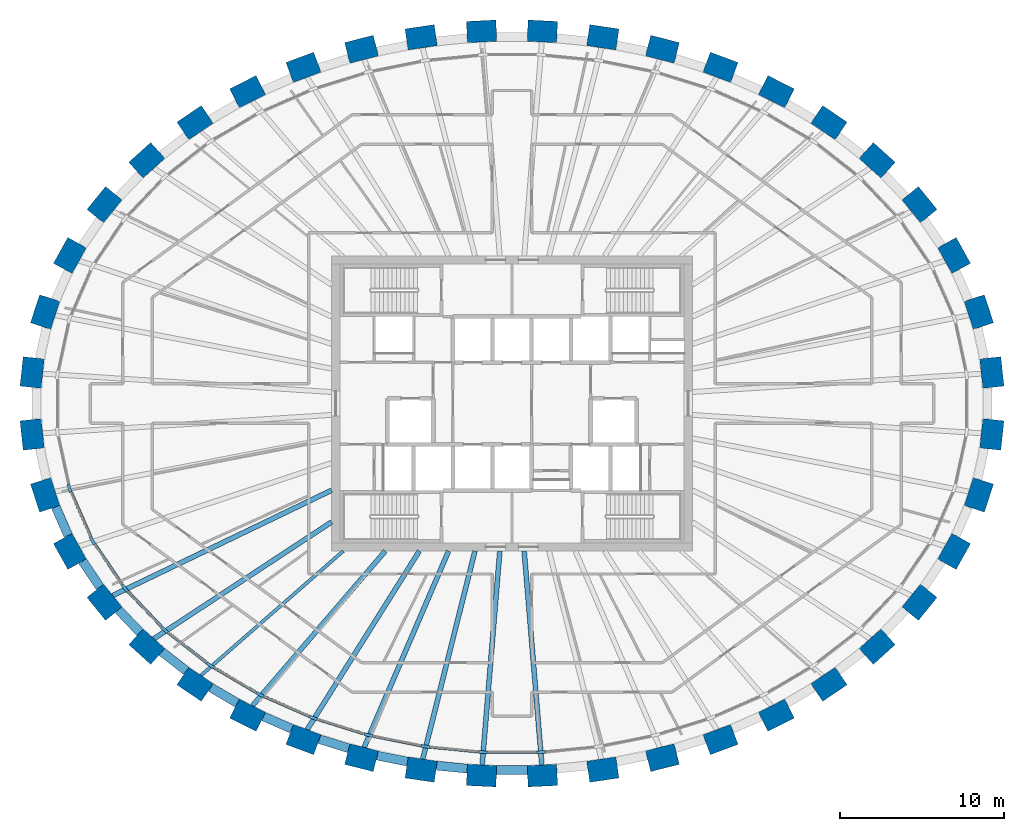
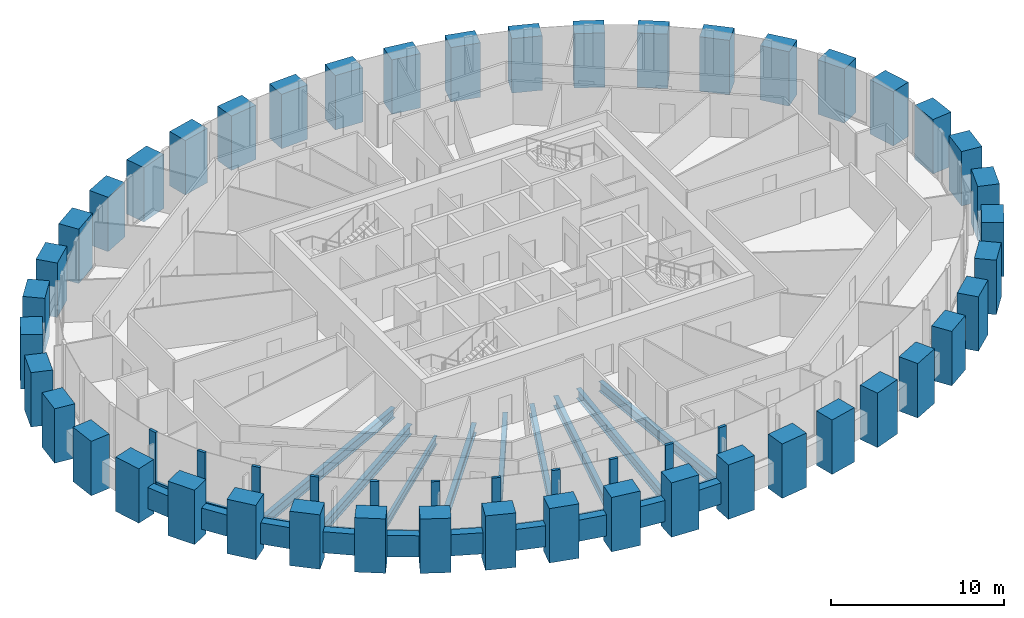
# One storey, part 1 of 11: 44 columns, 21 members, 19 beams, 1 element without a shape of its own.
"""IFC4 building model written with IfcOpenShell, lengths in metres."""

from ifc_helpers import new_model, si_unit, direction, frame, origin, origin_2d, place, context, subcontext, project, spatial, rectangle, i_section, extrude, source, transform, mapped, material, material_profile, profile_set, type_object, element, aggregate, save


model = new_model("IFC4")

# Units and contexts
model_context = context("Model", 3, precision=1e-05, world=origin(), true_north=direction((0.0, 1.0)))
body_context = subcontext(model_context, "Body", "Model", "MODEL_VIEW")
ifc_project = project(units=[si_unit("LENGTHUNIT", "METRE"), si_unit("AREAUNIT", "SQUARE_METRE"), si_unit("VOLUMEUNIT", "CUBIC_METRE"), si_unit("PLANEANGLEUNIT", "RADIAN"), si_unit("MASSUNIT", "GRAM", prefix="KILO")], contexts=[model_context])

# Site, building, storey
site_placement = place(None, origin())
site = spatial("IfcSite", under=ifc_project, at=site_placement, CompositionType="ELEMENT")
building_placement = place(site_placement, origin())
building = spatial("IfcBuilding", under=site, at=building_placement, Name="Embergate Tower", CompositionType="ELEMENT")
storey_placement = place(building_placement, frame((0.0, 0.0, 328.60009765625)))
storey = spatial("IfcBuildingStorey", under=building, at=storey_placement, Name="L77", CompositionType="ELEMENT", Elevation=328.60009765625)

# Columns
ifc_material_1 = material(Name="Concrete C50", Category="concrete")
ifc_material_profile_1 = material_profile(ifc_material_1, rectangle(XDim=1.300048828125, YDim=1.800048828125, at=origin_2d()), Name="RC 1300x1800")
ifc_profile_set_1 = profile_set([ifc_material_profile_1], Name="Concrete C50")
column_type = type_object("IfcColumnType", Name="Ring column RC 1300x1800 C50", PredefinedType="COLUMN", material=ifc_profile_set_1)
shared_shape_1 = source(origin(), body_context, "Body", "SweptSolid", [
    extrude(rectangle(XDim=1.300048828125, YDim=1.800048828125, at=origin_2d()), origin(), (0.0, 0.0, 1.0), 3.85009765625),
])
for number, where, z_axis, x_axis, name in (
    (1, (29.262939453125, 1.886962890625, -1.400146484375), (0.0, 0.0, 1.0), (0.99428589498, 0.106749983816, 0.0), "COL-L77-00"),
    (2, (28.469970703125, 5.573974609375, -1.400146484375), (0.0, 0.0, 1.0), (0.950754033697, 0.309946394413, 0.0), "COL-L77-01"),
    (3, (26.958984375, 9.02001953125, -1.400146484375), (0.0, 0.0, 1.0), (0.873500465855, 0.486823311018, 0.0), "COL-L77-02"),
    (4, (24.84912109375, 12.1220703125, -1.400146484375), (0.0, 0.0, 1.0), (0.775925311702, 0.630824786022, 0.0), "COL-L77-03"),
    (5, (22.26904296875, 14.827880859375, -1.400146484375), (0.0, 0.0, 1.0), (0.669221393633, 0.743063070206, 0.0), "COL-L77-04"),
    (6, (19.3291015625, 17.123046875, -1.400146484375), (0.0, 0.0, 1.0), (0.560393279442, 0.828226643109, 0.0), "COL-L77-05"),
    (7, (16.12109375, 19.010009765625, -1.400146484375), (0.0, 0.0, 1.0), (0.453010512651, 0.891505174089, 0.0), "COL-L77-06"),
    (8, (12.717041015625, 20.498046875, -1.400146484375), (0.0, 0.0, 1.0), (0.348343015724, 0.93736713373, 0.0), "COL-L77-07"),
    (9, (9.175048828125, 21.60107421875, -1.400146484375), (0.0, 0.0, 1.0), (0.24650851817, 0.969140624713, 0.0), "COL-L77-08"),
    (10, (5.5400390625, 22.330078125, -1.400146484375), (0.0, 0.0, 1.0), (0.146929011949, 0.989147039346, 0.0), "COL-L77-09"),
    (11, (1.85205078125, 22.693115234375, -1.400146484375), (0.0, 0.0, 1.0), (0.048814904854, 0.998807841912, 0.0), "COL-L77-10"),
    (12, (-1.85205078125, 22.693115234375, -1.400146484375), (0.0, 0.0, 1.0), (-0.048814904854, 0.998807841912, 0.0), "COL-L77-11"),
    (13, (-5.5400390625, 22.330078125, -1.400146484375), (0.0, 0.0, 1.0), (-0.146929011949, 0.989147039346, 0.0), "COL-L77-12"),
    (14, (-9.175048828125, 21.60107421875, -1.400146484375), (0.0, 0.0, 1.0), (-0.24650851817, 0.969140624713, 0.0), "COL-L77-13"),
    (15, (-12.717041015625, 20.498046875, -1.400146484375), (0.0, 0.0, 1.0), (-0.348343015724, 0.93736713373, 0.0), "COL-L77-14"),
    (16, (-16.12109375, 19.010009765625, -1.400146484375), (0.0, 0.0, 1.0), (-0.453010512651, 0.891505174089, 0.0), "COL-L77-15"),
    (17, (-19.3291015625, 17.123046875, -1.400146484375), (0.0, 0.0, 1.0), (-0.560393279442, 0.828226643109, 0.0), "COL-L77-16"),
    (18, (-22.26904296875, 14.827880859375, -1.400146484375), (0.0, 0.0, 1.0), (-0.669221393633, 0.743063070206, 0.0), "COL-L77-17"),
    (19, (-24.84912109375, 12.1220703125, -1.400146484375), (0.0, 0.0, 1.0), (-0.775925311702, 0.630824786022, 0.0), "COL-L77-18"),
    (20, (-26.958984375, 9.02001953125, -1.400146484375), (0.0, 0.0, 1.0), (-0.873500465855, 0.486823311018, 0.0), "COL-L77-19"),
    (21, (-28.469970703125, 5.573974609375, -1.400146484375), (0.0, 0.0, 1.0), (-0.950754033697, 0.309946394413, 0.0), "COL-L77-20"),
    (22, (-29.262939453125, 1.886962890625, -1.400146484375), (0.0, 0.0, 1.0), (-0.99428589498, 0.106749983816, 0.0), "COL-L77-21"),
    (23, (-29.262939453125, -1.886962890625, -1.400146484375), (0.0, 0.0, 1.0), (-0.99428589498, -0.106749983816, 0.0), "COL-L77-22"),
    (24, (-28.469970703125, -5.573974609375, -1.400146484375), (0.0, 0.0, 1.0), (-0.950754033697, -0.309946394413, 0.0), "COL-L77-23"),
    (25, (-26.958984375, -9.02001953125, -1.400146484375), (0.0, 0.0, 1.0), (-0.873500465855, -0.486823311018, 0.0), "COL-L77-24"),
    (26, (-24.84912109375, -12.1220703125, -1.400146484375), (0.0, 0.0, 1.0), (-0.775925311702, -0.630824786022, 0.0), "COL-L77-25"),
    (27, (-22.26904296875, -14.827880859375, -1.400146484375), (0.0, 0.0, 1.0), (-0.669221393633, -0.743063070206, 0.0), "COL-L77-26"),
    (28, (-19.3291015625, -17.123046875, -1.400146484375), (0.0, 0.0, 1.0), (-0.560393279442, -0.828226643109, 0.0), "COL-L77-27"),
    (29, (-16.12109375, -19.010009765625, -1.400146484375), (0.0, 0.0, 1.0), (-0.453010512651, -0.891505174089, 0.0), "COL-L77-28"),
    (30, (-12.717041015625, -20.498046875, -1.400146484375), (0.0, 0.0, 1.0), (-0.348343015724, -0.93736713373, 0.0), "COL-L77-29"),
    (31, (-9.175048828125, -21.60107421875, -1.400146484375), (0.0, 0.0, 1.0), (-0.24650851817, -0.969140624713, 0.0), "COL-L77-30"),
    (32, (-5.5400390625, -22.330078125, -1.400146484375), (0.0, 0.0, 1.0), (-0.146929011949, -0.989147039346, 0.0), "COL-L77-31"),
    (33, (-1.85205078125, -22.693115234375, -1.400146484375), (0.0, 0.0, 1.0), (-0.048814904854, -0.998807841912, 0.0), "COL-L77-32"),
    (34, (1.85205078125, -22.693115234375, -1.400146484375), (0.0, 0.0, 1.0), (0.048814904854, -0.998807841912, 0.0), "COL-L77-33"),
    (35, (5.5400390625, -22.330078125, -1.400146484375), (0.0, 0.0, 1.0), (0.146929011949, -0.989147039346, 0.0), "COL-L77-34"),
    (36, (9.175048828125, -21.60107421875, -1.400146484375), (0.0, 0.0, 1.0), (0.24650851817, -0.969140624713, 0.0), "COL-L77-35"),
    (37, (12.717041015625, -20.498046875, -1.400146484375), (0.0, 0.0, 1.0), (0.348343015724, -0.93736713373, 0.0), "COL-L77-36"),
    (38, (16.12109375, -19.010009765625, -1.400146484375), (0.0, 0.0, 1.0), (0.453010512651, -0.891505174089, 0.0), "COL-L77-37"),
    (39, (19.3291015625, -17.123046875, -1.400146484375), (0.0, 0.0, 1.0), (0.560393279442, -0.828226643109, 0.0), "COL-L77-38"),
    (40, (22.26904296875, -14.827880859375, -1.400146484375), (0.0, 0.0, 1.0), (0.669221393633, -0.743063070206, 0.0), "COL-L77-39"),
    (41, (24.84912109375, -12.1220703125, -1.400146484375), (0.0, 0.0, 1.0), (0.775925311702, -0.630824786022, 0.0), "COL-L77-40"),
    (42, (26.958984375, -9.02001953125, -1.400146484375), (0.0, 0.0, 1.0), (0.873500465855, -0.486823311018, 0.0), "COL-L77-41"),
    (43, (28.469970703125, -5.573974609375, -1.400146484375), (0.0, 0.0, 1.0), (0.950754033697, -0.309946394413, 0.0), "COL-L77-42"),
    (44, (29.262939453125, -1.886962890625, -1.400146484375), (0.0, 0.0, 1.0), (0.99428589498, -0.106749983816, 0.0), "COL-L77-43"),
):
    element("IfcColumn", number, at=place(storey_placement, frame(where, z_axis=z_axis, x_axis=x_axis)), inside=storey, type_object=column_type, Name=name, PredefinedType="COLUMN", context=body_context, shape_type="MappedRepresentation", body=[
        mapped(shared_shape_1, transform((0.0, 0.0, 0.0))),
    ])

# Beams
ifc_material_profile_2 = material_profile(ifc_material_1, rectangle(XDim=0.550048828125, YDim=1.5, at=origin_2d()), Name="RC 550x1500")
ifc_profile_set_2 = profile_set([ifc_material_profile_2], Name="Concrete C50")
beam_type_1 = type_object("IfcBeamType", Name="Spandrel beam RC 550x1500 C50", PredefinedType="BEAM", material=ifc_profile_set_2)
shared_shape_2 = source(origin(), body_context, "Body", "SweptSolid", [
    extrude(rectangle(XDim=0.550048828125, YDim=1.5, at=origin_2d()), origin(), (0.0, 0.0, 1.0), 1.897705078125),
])
beam_1_placement = place(storey_placement, frame((-27.827880859375, -6.31103515625, 0.0), z_axis=(0.401513845594, -0.915852953151, 0.0), x_axis=(0.915852953151, 0.401513845594, 0.0)))
element("IfcBeam", 45, at=beam_1_placement, inside=storey, type_object=beam_type_1, Name="SPN-L77-23", PredefinedType="BEAM", context=body_context, shape_type="MappedRepresentation", body=[
    mapped(shared_shape_2, transform((0.0, 0.0, 0.0))),
])
shared_shape_3 = source(origin(), body_context, "Body", "SweptSolid", [
    extrude(rectangle(XDim=0.550048828125, YDim=1.5, at=origin_2d()), origin(), (0.0, 0.0, 1.0), 1.893798828125),
])
beam_2_placement = place(storey_placement, frame((-26.194091796875, -9.6240234375, 0.0), z_axis=(0.562440477268, -0.826837777034, 0.0), x_axis=(0.826837777034, 0.562440477268, 0.0)))
element("IfcBeam", 46, at=beam_2_placement, inside=storey, type_object=beam_type_1, Name="SPN-L77-24", PredefinedType="BEAM", context=body_context, shape_type="MappedRepresentation", body=[
    mapped(shared_shape_3, transform((0.0, 0.0, 0.0))),
])
shared_shape_4 = source(origin(), body_context, "Body", "SweptSolid", [
    extrude(rectangle(XDim=0.550048828125, YDim=1.5, at=origin_2d()), origin(), (0.0, 0.0, 1.0), 1.8876953125),
])
beam_3_placement = place(storey_placement, frame((-23.998046875, -12.590087890625, 0.0), z_axis=(0.69022655599, -0.723593325982, 0.0), x_axis=(0.723593325982, 0.69022655599, 0.0)))
element("IfcBeam", 47, at=beam_3_placement, inside=storey, type_object=beam_type_1, Name="SPN-L77-25", PredefinedType="BEAM", context=body_context, shape_type="MappedRepresentation", body=[
    mapped(shared_shape_4, transform((0.0, 0.0, 0.0))),
])
shared_shape_5 = source(origin(), body_context, "Body", "SweptSolid", [
    extrude(rectangle(XDim=0.550048828125, YDim=1.5, at=origin_2d()), origin(), (0.0, 0.0, 1.0), 1.88232421875),
])
beam_4_placement = place(storey_placement, frame((-21.347900390625, -15.14990234375, 0.0), z_axis=(0.788303508782, -0.615286582043, 0.0), x_axis=(0.615286582043, 0.788303508782, 0.0)))
element("IfcBeam", 48, at=beam_4_placement, inside=storey, type_object=beam_type_1, Name="SPN-L77-26", PredefinedType="BEAM", context=body_context, shape_type="MappedRepresentation", body=[
    mapped(shared_shape_5, transform((0.0, 0.0, 0.0))),
])
shared_shape_6 = source(origin(), body_context, "Body", "SweptSolid", [
    extrude(rectangle(XDim=0.550048828125, YDim=1.5, at=origin_2d()), origin(), (0.0, 0.0, 1.0), 1.87939453125),
])
beam_5_placement = place(storey_placement, frame((-18.3759765625, -17.320068359375, 0.0), z_axis=(0.861930875636, -0.507025803708, 0.0), x_axis=(0.507025803708, 0.861930875636, 0.0)))
element("IfcBeam", 49, at=beam_5_placement, inside=storey, type_object=beam_type_1, Name="SPN-L77-27", PredefinedType="BEAM", context=body_context, shape_type="MappedRepresentation", body=[
    mapped(shared_shape_6, transform((0.0, 0.0, 0.0))),
])
shared_shape_7 = source(origin(), body_context, "Body", "SweptSolid", [
    extrude(rectangle(XDim=0.550048828125, YDim=1.5, at=origin_2d()), origin(), (0.0, 0.0, 1.0), 1.876708984375),
])
beam_6_placement = place(storey_placement, frame((-15.153076171875, -19.091064453125, 0.0), z_axis=(0.916452657221, -0.400143133231, 0.0), x_axis=(0.400143133231, 0.916452657221, 0.0)))
element("IfcBeam", 50, at=beam_6_placement, inside=storey, type_object=beam_type_1, Name="SPN-L77-28", PredefinedType="BEAM", context=body_context, shape_type="MappedRepresentation", body=[
    mapped(shared_shape_7, transform((0.0, 0.0, 0.0))),
])
shared_shape_8 = source(origin(), body_context, "Body", "SweptSolid", [
    extrude(rectangle(XDim=0.550048828125, YDim=1.5, at=origin_2d()), origin(), (0.0, 0.0, 1.0), 1.873779296875),
])
for number, where, z_axis, x_axis, name in (
    (51, (-11.7470703125, -20.470947265625, 0.0), (0.954776255033, -0.297325247542, 0.0), (0.297325247542, 0.954776255033, 0.0), "SPN-L77-29"),
    (52, (-8.214111328125, -21.472900390625, 0.0), (0.980404898084, -0.196992984173, 0.0), (0.196992984173, 0.980404898084, 0.0), "SPN-L77-30"),
):
    element("IfcBeam", number, at=place(storey_placement, frame(where, z_axis=z_axis, x_axis=x_axis)), inside=storey, type_object=beam_type_1, Name=name, PredefinedType="BEAM", context=body_context, shape_type="MappedRepresentation", body=[
        mapped(shared_shape_8, transform((0.0, 0.0, 0.0))),
    ])
shared_shape_9 = source(origin(), body_context, "Body", "SweptSolid", [
    extrude(rectangle(XDim=0.550048828125, YDim=1.5, at=origin_2d()), origin(), (0.0, 0.0, 1.0), 1.87109375),
])
beam_7_placement = place(storey_placement, frame((-4.593994140625, -22.0869140625, 0.0), z_axis=(0.995148946648, -0.098379743775, 0.0), x_axis=(0.098379743775, 0.995148946648, 0.0)))
element("IfcBeam", 53, at=beam_7_placement, inside=storey, type_object=beam_type_1, Name="SPN-L77-31", PredefinedType="BEAM", context=body_context, shape_type="MappedRepresentation", body=[
    mapped(shared_shape_9, transform((0.0, 0.0, 0.0))),
])
shared_shape_10 = source(origin(), body_context, "Body", "SweptSolid", [
    extrude(rectangle(XDim=0.550048828125, YDim=1.5, at=origin_2d()), origin(), (0.0, 0.0, 1.0), 1.8701171875),
])
beam_8_placement = place(storey_placement, frame((-0.93505859375, -22.35888671875, 0.0), z_axis=(1.0, 0.0, 0.0), x_axis=(0.0, 1.0, 0.0)))
element("IfcBeam", 54, at=beam_8_placement, inside=storey, type_object=beam_type_1, Name="SPN-L77-32", PredefinedType="BEAM", context=body_context, shape_type="MappedRepresentation", body=[
    mapped(shared_shape_10, transform((0.0, 0.0, 0.0))),
])
ifc_material_2 = material(Name="Steel Q355B", Category="steel")
ifc_material_profile_3 = material_profile(ifc_material_2, i_section(OverallWidth=0.300048828125, OverallDepth=0.699951171875, WebThickness=0.012939453125, FlangeThickness=0.02392578125, FilletRadius=0.01806640625, at=origin_2d()), Name="HN 700x300x13x24")
ifc_profile_set_3 = profile_set([ifc_material_profile_3], Name="Steel Q355 grade B")
beam_type_2 = type_object("IfcBeamType", Name="Radial girder HN 700x300x13x24", PredefinedType="BEAM", material=ifc_profile_set_3)
shared_shape_11 = source(origin(), body_context, "Body", "SweptSolid", [
    extrude(i_section(OverallWidth=0.300048828125, OverallDepth=0.699951171875, WebThickness=0.012939453125, FlangeThickness=0.02392578125, FilletRadius=0.01806640625, at=origin_2d()), origin(), (0.0, 0.0, 1.0), 14.808837890625),
])
beam_9_placement = place(storey_placement, frame((-24.344970703125, -11.7119140625, -0.550048828125), z_axis=(0.90114505666, 0.43351768921, 0.0), x_axis=(-0.43351768921, 0.90114505666, 0.0)))
element("IfcBeam", 55, at=beam_9_placement, inside=storey, type_object=beam_type_2, Name="GIR-L77-25", PredefinedType="BEAM", context=body_context, shape_type="MappedRepresentation", body=[
    mapped(shared_shape_11, transform((0.0, 0.0, 0.0))),
])
shared_shape_12 = source(origin(), body_context, "Body", "SweptSolid", [
    extrude(i_section(OverallWidth=0.300048828125, OverallDepth=0.699951171875, WebThickness=0.012939453125, FlangeThickness=0.02392578125, FilletRadius=0.01806640625, at=origin_2d()), origin(), (0.0, 0.0, 1.0), 12.963134765625),
])
beam_10_placement = place(storey_placement, frame((-21.833984375, -14.344970703125, -0.550048828125), z_axis=(0.835760548257, 0.549094077529, 0.0), x_axis=(-0.549094077529, 0.835760548257, 0.0)))
element("IfcBeam", 56, at=beam_10_placement, inside=storey, type_object=beam_type_2, Name="GIR-L77-26", PredefinedType="BEAM", context=body_context, shape_type="MappedRepresentation", body=[
    mapped(shared_shape_12, transform((0.0, 0.0, 0.0))),
])
ifc_material_profile_4 = material_profile(ifc_material_2, i_section(OverallWidth=0.199951171875, OverallDepth=0.60009765625, WebThickness=0.010986328125, FlangeThickness=0.01708984375, FilletRadius=0.012939453125, at=origin_2d()), Name="HN 600x200x11x17")
ifc_profile_set_4 = profile_set([ifc_material_profile_4], Name="Steel Q355 grade B")
beam_type_3 = type_object("IfcBeamType", Name="Radial girder HN 600x200x11x17", PredefinedType="BEAM", material=ifc_profile_set_4)
shared_shape_13 = source(origin(), body_context, "Body", "SweptSolid", [
    extrude(i_section(OverallWidth=0.199951171875, OverallDepth=0.60009765625, WebThickness=0.010986328125, FlangeThickness=0.01708984375, FilletRadius=0.012939453125, at=origin_2d()), origin(), (0.0, 0.0, 1.0), 11.52197265625),
])
beam_11_placement = place(storey_placement, frame((-18.965087890625, -16.5849609375, -0.5), z_axis=(0.752748620868, 0.658308069054, 0.0), x_axis=(-0.658308069054, 0.752748620868, 0.0)))
element("IfcBeam", 57, at=beam_11_placement, inside=storey, type_object=beam_type_3, Name="GIR-L77-27", PredefinedType="BEAM", context=body_context, shape_type="MappedRepresentation", body=[
    mapped(shared_shape_13, transform((0.0, 0.0, 0.0))),
])
shared_shape_14 = source(origin(), body_context, "Body", "SweptSolid", [
    extrude(i_section(OverallWidth=0.300048828125, OverallDepth=0.699951171875, WebThickness=0.012939453125, FlangeThickness=0.02392578125, FilletRadius=0.01806640625, at=origin_2d()), origin(), (0.0, 0.0, 1.0), 12.43115234375),
])
beam_12_placement = place(storey_placement, frame((-15.826904296875, -18.430908203125, -0.550048828125), z_axis=(0.651497878896, 0.758650455608, 0.0), x_axis=(-0.758650455608, 0.651497878896, 0.0)))
element("IfcBeam", 58, at=beam_12_placement, inside=storey, type_object=beam_type_2, Name="GIR-L77-28", PredefinedType="BEAM", context=body_context, shape_type="MappedRepresentation", body=[
    mapped(shared_shape_14, transform((0.0, 0.0, 0.0))),
])
shared_shape_15 = source(origin(), body_context, "Body", "SweptSolid", [
    extrude(i_section(OverallWidth=0.300048828125, OverallDepth=0.699951171875, WebThickness=0.012939453125, FlangeThickness=0.02392578125, FilletRadius=0.01806640625, at=origin_2d()), origin(), (0.0, 0.0, 1.0), 12.8583984375),
])
beam_13_placement = place(storey_placement, frame((-12.490966796875, -19.888916015625, -0.550048828125), z_axis=(0.531859653709, 0.846832515174, 0.0), x_axis=(-0.846832515174, 0.531859653709, 0.0)))
element("IfcBeam", 59, at=beam_13_placement, inside=storey, type_object=beam_type_2, Name="GIR-L77-29", PredefinedType="BEAM", context=body_context, shape_type="MappedRepresentation", body=[
    mapped(shared_shape_15, transform((0.0, 0.0, 0.0))),
])
shared_shape_16 = source(origin(), body_context, "Body", "SweptSolid", [
    extrude(i_section(OverallWidth=0.300048828125, OverallDepth=0.699951171875, WebThickness=0.012939453125, FlangeThickness=0.02392578125, FilletRadius=0.01806640625, at=origin_2d()), origin(), (0.0, 0.0, 1.0), 13.0302734375),
])
beam_14_placement = place(storey_placement, frame((-9.014892578125, -20.970947265625, -0.550048828125), z_axis=(0.394929867162, 0.918711271305, 0.0), x_axis=(-0.918711271305, 0.394929867162, 0.0)))
element("IfcBeam", 60, at=beam_14_placement, inside=storey, type_object=beam_type_2, Name="GIR-L77-30", PredefinedType="BEAM", context=body_context, shape_type="MappedRepresentation", body=[
    mapped(shared_shape_16, transform((0.0, 0.0, 0.0))),
])
shared_shape_17 = source(origin(), body_context, "Body", "SweptSolid", [
    extrude(i_section(OverallWidth=0.300048828125, OverallDepth=0.699951171875, WebThickness=0.012939453125, FlangeThickness=0.02392578125, FilletRadius=0.01806640625, at=origin_2d()), origin(), (0.0, 0.0, 1.0), 13.080810546875),
])
beam_15_placement = place(storey_placement, frame((-5.444091796875, -21.68701171875, -0.550048828125), z_axis=(0.243492869498, 0.969902687131, 0.0), x_axis=(-0.969902687131, 0.243492869498, 0.0)))
element("IfcBeam", 61, at=beam_15_placement, inside=storey, type_object=beam_type_2, Name="GIR-L77-31", PredefinedType="BEAM", context=body_context, shape_type="MappedRepresentation", body=[
    mapped(shared_shape_17, transform((0.0, 0.0, 0.0))),
])
shared_shape_18 = source(origin(), body_context, "Body", "SweptSolid", [
    extrude(i_section(OverallWidth=0.300048828125, OverallDepth=0.699951171875, WebThickness=0.012939453125, FlangeThickness=0.02392578125, FilletRadius=0.01806640625, at=origin_2d()), origin(), (0.0, 0.0, 1.0), 13.08837890625),
])
for number, where, z_axis, x_axis, name in (
    (62, (-1.820068359375, -22.0439453125, -0.550048828125), (0.082298295943, 0.996607741534, 0.0), (-0.996607741534, 0.082298295943, 0.0), "GIR-L77-32"),
    (63, (1.820068359375, -22.0439453125, -0.550048828125), (-0.082298295943, 0.996607741534, 0.0), (-0.996607741534, -0.082298295943, 0.0), "GIR-L77-33"),
):
    element("IfcBeam", number, at=place(storey_placement, frame(where, z_axis=z_axis, x_axis=x_axis)), inside=storey, type_object=beam_type_2, Name=name, PredefinedType="BEAM", context=body_context, shape_type="MappedRepresentation", body=[
        mapped(shared_shape_18, transform((0.0, 0.0, 0.0))),
    ])

# Curtain wall, members
ifc_material_3 = material(Name="Aluminium and glass", Category="aluminium")
curtain_wall_type = type_object("IfcCurtainWallType", Name="Recessed office glazing", PredefinedType="NOTDEFINED", material=ifc_material_3)
curtain_wall_placement = place(storey_placement, origin())
curtain_wall = element("IfcCurtainWall", 64, at=curtain_wall_placement, inside=storey, type_object=curtain_wall_type, Name="Recessed office glazing ring", ObjectType="RECESSED OFFICE GLAZING", PredefinedType="USERDEFINED")
ifc_material_4 = material(Name="Aluminium, thermally broken", Category="aluminium")
ifc_material_profile_5 = material_profile(ifc_material_4, rectangle(XDim=0.179931640625, YDim=0.52001953125, at=origin_2d()), Name="AL 520x180")
ifc_profile_set_5 = profile_set([ifc_material_profile_5], Name="Aluminium, thermally broken")
member_type_1 = type_object("IfcMemberType", Name="Office mullion", PredefinedType="MULLION", material=ifc_profile_set_5)
shared_shape_19 = source(origin(), body_context, "Body", "SweptSolid", [
    extrude(rectangle(XDim=0.179931640625, YDim=0.52001953125, at=origin_2d()), origin(), (0.0, 0.0, 1.0), 3.64990234375),
])
member_1_placement = place(storey_placement, frame((-26.991943359375, -5.157470703125, 0.0), z_axis=(0.0, 0.0, 1.0), x_axis=(0.951489743263, 0.307680464875, 0.0)))
member_1 = element("IfcMember", 65, at=member_1_placement, type_object=member_type_1, Name="CW mullion 24", PredefinedType="MULLION", context=body_context, shape_type="MappedRepresentation", body=[
    mapped(shared_shape_19, transform((0.0, 0.0, 0.0))),
])
member_2_placement = place(storey_placement, frame((-25.5869140625, -8.360595703125, 0.0), z_axis=(0.0, 0.0, 1.0), x_axis=(0.874987531332, 0.484145453364, 0.0)))
member_2 = element("IfcMember", 66, at=member_2_placement, type_object=member_type_1, Name="CW mullion 25", PredefinedType="MULLION", context=body_context, shape_type="MappedRepresentation", body=[
    mapped(shared_shape_19, transform((0.0, 0.0, 0.0))),
])
member_3_placement = place(storey_placement, frame((-23.615234375, -11.260009765625, 0.0), z_axis=(0.0, 0.0, 1.0), x_axis=(0.777856112038, 0.628442414996, 0.0)))
member_3 = element("IfcMember", 67, at=member_3_placement, type_object=member_type_1, Name="CW mullion 26", PredefinedType="MULLION", context=body_context, shape_type="MappedRepresentation", body=[
    mapped(shared_shape_19, transform((0.0, 0.0, 0.0))),
])
member_4_placement = place(storey_placement, frame((-21.189453125, -13.8037109375, 0.0), z_axis=(0.0, 0.0, 1.0), x_axis=(0.671212302811, 0.741265164807, 0.0)))
member_4 = element("IfcMember", 68, at=member_4_placement, type_object=member_type_1, Name="CW mullion 27", PredefinedType="MULLION", context=body_context, shape_type="MappedRepresentation", body=[
    mapped(shared_shape_19, transform((0.0, 0.0, 0.0))),
])
member_5_placement = place(storey_placement, frame((-18.4130859375, -15.970703125, 0.0), z_axis=(0.0, 0.0, 1.0), x_axis=(0.562204628156, 0.826998159659, 0.0)))
member_5 = element("IfcMember", 69, at=member_5_placement, type_object=member_type_1, Name="CW mullion 28", PredefinedType="MULLION", context=body_context, shape_type="MappedRepresentation", body=[
    mapped(shared_shape_19, transform((0.0, 0.0, 0.0))),
])
member_6_placement = place(storey_placement, frame((-15.371826171875, -17.758544921875, 0.0), z_axis=(0.0, 0.0, 1.0), x_axis=(0.454502052684, 0.890745689917, 0.0)))
member_6 = element("IfcMember", 70, at=member_6_placement, type_object=member_type_1, Name="CW mullion 29", PredefinedType="MULLION", context=body_context, shape_type="MappedRepresentation", body=[
    mapped(shared_shape_19, transform((0.0, 0.0, 0.0))),
])
member_7_placement = place(storey_placement, frame((-12.135498046875, -19.173583984375, 0.0), z_axis=(0.0, 0.0, 1.0), x_axis=(0.349496141799, 0.936937803094, 0.0)))
member_7 = element("IfcMember", 71, at=member_7_placement, type_object=member_type_1, Name="CW mullion 30", PredefinedType="MULLION", context=body_context, shape_type="MappedRepresentation", body=[
    mapped(shared_shape_19, transform((0.0, 0.0, 0.0))),
])
member_8_placement = place(storey_placement, frame((-8.760009765625, -20.22509765625, 0.0), z_axis=(0.0, 0.0, 1.0), x_axis=(0.24730680803, 0.968937223303, 0.0)))
member_8 = element("IfcMember", 72, at=member_8_placement, type_object=member_type_1, Name="CW mullion 31", PredefinedType="MULLION", context=body_context, shape_type="MappedRepresentation", body=[
    mapped(shared_shape_19, transform((0.0, 0.0, 0.0))),
])
member_9_placement = place(storey_placement, frame((-5.29150390625, -20.920654296875, 0.0), z_axis=(0.0, 0.0, 1.0), x_axis=(0.147408930294, 0.989075632735, 0.0)))
member_9 = element("IfcMember", 73, at=member_9_placement, type_object=member_type_1, Name="CW mullion 32", PredefinedType="MULLION", context=body_context, shape_type="MappedRepresentation", body=[
    mapped(shared_shape_19, transform((0.0, 0.0, 0.0))),
])
member_10_placement = place(storey_placement, frame((-1.76953125, -21.266845703125, 0.0), z_axis=(0.0, 0.0, 1.0), x_axis=(0.048970053385, 0.998800247232, 0.0)))
member_10 = element("IfcMember", 74, at=member_10_placement, type_object=member_type_1, Name="CW mullion 33", PredefinedType="MULLION", context=body_context, shape_type="MappedRepresentation", body=[
    mapped(shared_shape_19, transform((0.0, 0.0, 0.0))),
])
member_11_placement = place(storey_placement, frame((1.76953125, -21.266845703125, 0.0), z_axis=(0.0, 0.0, 1.0), x_axis=(-0.048970053385, 0.998800247232, 0.0)))
member_11 = element("IfcMember", 75, at=member_11_placement, type_object=member_type_1, Name="CW mullion 34", PredefinedType="MULLION", context=body_context, shape_type="MappedRepresentation", body=[
    mapped(shared_shape_19, transform((0.0, 0.0, 0.0))),
])
ifc_material_profile_6 = material_profile(ifc_material_4, rectangle(XDim=0.179931640625, YDim=0.14990234375, at=origin_2d()), Name="AL 150x180")
ifc_profile_set_6 = profile_set([ifc_material_profile_6], Name="Aluminium, thermally broken")
member_type_2 = type_object("IfcMemberType", Name="Office sill transom", PredefinedType="USERDEFINED", material=ifc_profile_set_6)
shared_shape_20 = source(origin(), body_context, "Body", "SweptSolid", [
    extrude(rectangle(XDim=0.179931640625, YDim=0.14990234375, at=origin_2d()), origin(), (0.0, 0.0, 1.0), 2.977783203125),
])
member_12_placement = place(storey_placement, frame((-26.887451171875, -5.3955078125, 0.074951171875), z_axis=(0.401653050899, -0.915791912338, 0.0), x_axis=(0.915791912338, 0.401653050899, 0.0)))
member_12 = element("IfcMember", 76, at=member_12_placement, type_object=member_type_2, Name="CW transom 24.1", ObjectType="TRANSOM", PredefinedType="USERDEFINED", context=body_context, shape_type="MappedRepresentation", body=[
    mapped(shared_shape_20, transform((0.0, 0.0, 0.0))),
])
shared_shape_21 = source(origin(), body_context, "Body", "SweptSolid", [
    extrude(rectangle(XDim=0.179931640625, YDim=0.14990234375, at=origin_2d()), origin(), (0.0, 0.0, 1.0), 2.986328125),
])
member_13_placement = place(storey_placement, frame((-25.44091796875, -8.57568359375, 0.074951171875), z_axis=(0.562354741313, -0.826896090766, 0.0), x_axis=(0.826896090766, 0.562354741313, 0.0)))
member_13 = element("IfcMember", 77, at=member_13_placement, type_object=member_type_2, Name="CW transom 25.1", ObjectType="TRANSOM", PredefinedType="USERDEFINED", context=body_context, shape_type="MappedRepresentation", body=[
    mapped(shared_shape_21, transform((0.0, 0.0, 0.0))),
])
shared_shape_22 = source(origin(), body_context, "Body", "SweptSolid", [
    extrude(rectangle(XDim=0.179931640625, YDim=0.14990234375, at=origin_2d()), origin(), (0.0, 0.0, 1.0), 2.994873046875),
])
member_14_placement = place(storey_placement, frame((-23.435791015625, -11.4482421875, 0.074951171875), z_axis=(0.690155764785, -0.723660846208, 0.0), x_axis=(0.723660846208, 0.690155764785, 0.0)))
member_14 = element("IfcMember", 78, at=member_14_placement, type_object=member_type_2, Name="CW transom 26.1", ObjectType="TRANSOM", PredefinedType="USERDEFINED", context=body_context, shape_type="MappedRepresentation", body=[
    mapped(shared_shape_22, transform((0.0, 0.0, 0.0))),
])
shared_shape_23 = source(origin(), body_context, "Body", "SweptSolid", [
    extrude(rectangle(XDim=0.179931640625, YDim=0.14990234375, at=origin_2d()), origin(), (0.0, 0.0, 1.0), 3.002197265625),
])
member_15_placement = place(storey_placement, frame((-20.984619140625, -13.963623046875, 0.074951171875), z_axis=(0.788317707507, -0.615268390241, 0.0), x_axis=(0.615268390241, 0.788317707507, 0.0)))
member_15 = element("IfcMember", 79, at=member_15_placement, type_object=member_type_2, Name="CW transom 27.1", ObjectType="TRANSOM", PredefinedType="USERDEFINED", context=body_context, shape_type="MappedRepresentation", body=[
    mapped(shared_shape_23, transform((0.0, 0.0, 0.0))),
])
shared_shape_24 = source(origin(), body_context, "Body", "SweptSolid", [
    extrude(rectangle(XDim=0.179931640625, YDim=0.14990234375, at=origin_2d()), origin(), (0.0, 0.0, 1.0), 3.0078125),
])
member_16_placement = place(storey_placement, frame((-18.18896484375, -16.102294921875, 0.074951171875), z_axis=(0.862063551855, -0.50680018998, 0.0), x_axis=(0.50680018998, 0.862063551855, 0.0)))
member_16 = element("IfcMember", 80, at=member_16_placement, type_object=member_type_2, Name="CW transom 28.1", ObjectType="TRANSOM", PredefinedType="USERDEFINED", context=body_context, shape_type="MappedRepresentation", body=[
    mapped(shared_shape_24, transform((0.0, 0.0, 0.0))),
])
shared_shape_25 = source(origin(), body_context, "Body", "SweptSolid", [
    extrude(rectangle(XDim=0.179931640625, YDim=0.14990234375, at=origin_2d()), origin(), (0.0, 0.0, 1.0), 3.01220703125),
])
member_17_placement = place(storey_placement, frame((-15.1337890625, -17.86279296875, 0.074951171875), z_axis=(0.91624473838, -0.400618995295, 0.0), x_axis=(0.400618995295, 0.91624473838, 0.0)))
member_17 = element("IfcMember", 81, at=member_17_placement, type_object=member_type_2, Name="CW transom 29.1", ObjectType="TRANSOM", PredefinedType="USERDEFINED", context=body_context, shape_type="MappedRepresentation", body=[
    mapped(shared_shape_25, transform((0.0, 0.0, 0.0))),
])
shared_shape_26 = source(origin(), body_context, "Body", "SweptSolid", [
    extrude(rectangle(XDim=0.179931640625, YDim=0.14990234375, at=origin_2d()), origin(), (0.0, 0.0, 1.0), 3.01513671875),
])
member_18_placement = place(storey_placement, frame((-11.88720703125, -19.251220703125, 0.074951171875), z_axis=(0.95477916578, -0.297315900335, 0.0), x_axis=(0.297315900335, 0.95477916578, 0.0)))
member_18 = element("IfcMember", 82, at=member_18_placement, type_object=member_type_2, Name="CW transom 30.1", ObjectType="TRANSOM", PredefinedType="USERDEFINED", context=body_context, shape_type="MappedRepresentation", body=[
    mapped(shared_shape_26, transform((0.0, 0.0, 0.0))),
])
shared_shape_27 = source(origin(), body_context, "Body", "SweptSolid", [
    extrude(rectangle(XDim=0.179931640625, YDim=0.14990234375, at=origin_2d()), origin(), (0.0, 0.0, 1.0), 3.017578125),
])
member_19_placement = place(storey_placement, frame((-8.505126953125, -20.276123046875, 0.074951171875), z_axis=(0.980484093773, -0.196598427912, 0.0), x_axis=(0.196598427912, 0.980484093773, 0.0)))
member_19 = element("IfcMember", 83, at=member_19_placement, type_object=member_type_2, Name="CW transom 31.1", ObjectType="TRANSOM", PredefinedType="USERDEFINED", context=body_context, shape_type="MappedRepresentation", body=[
    mapped(shared_shape_27, transform((0.0, 0.0, 0.0))),
])
shared_shape_28 = source(origin(), body_context, "Body", "SweptSolid", [
    extrude(rectangle(XDim=0.179931640625, YDim=0.14990234375, at=origin_2d()), origin(), (0.0, 0.0, 1.0), 3.018798828125),
])
member_20_placement = place(storey_placement, frame((-5.03271484375, -20.946044921875, 0.074951171875), z_axis=(0.995200768262, -0.097854130473, 0.0), x_axis=(0.097854130473, 0.995200768262, 0.0)))
member_20 = element("IfcMember", 84, at=member_20_placement, type_object=member_type_2, Name="CW transom 32.1", ObjectType="TRANSOM", PredefinedType="USERDEFINED", context=body_context, shape_type="MappedRepresentation", body=[
    mapped(shared_shape_28, transform((0.0, 0.0, 0.0))),
])
shared_shape_29 = source(origin(), body_context, "Body", "SweptSolid", [
    extrude(rectangle(XDim=0.179931640625, YDim=0.14990234375, at=origin_2d()), origin(), (0.0, 0.0, 1.0), 3.01904296875),
])
member_21_placement = place(storey_placement, frame((-1.509521484375, -21.266845703125, 0.074951171875), z_axis=(1.0, 0.0, 0.0), x_axis=(0.0, 1.0, 0.0)))
member_21 = element("IfcMember", 85, at=member_21_placement, type_object=member_type_2, Name="CW transom 33.1", ObjectType="TRANSOM", PredefinedType="USERDEFINED", context=body_context, shape_type="MappedRepresentation", body=[
    mapped(shared_shape_29, transform((0.0, 0.0, 0.0))),
])
aggregate(curtain_wall, [member_1, member_2, member_3, member_4, member_5, member_6, member_7, member_8, member_9, member_10, member_11, member_12, member_13, member_14, member_15, member_16, member_17, member_18, member_19, member_20, member_21])

save(model, "model.ifc")
